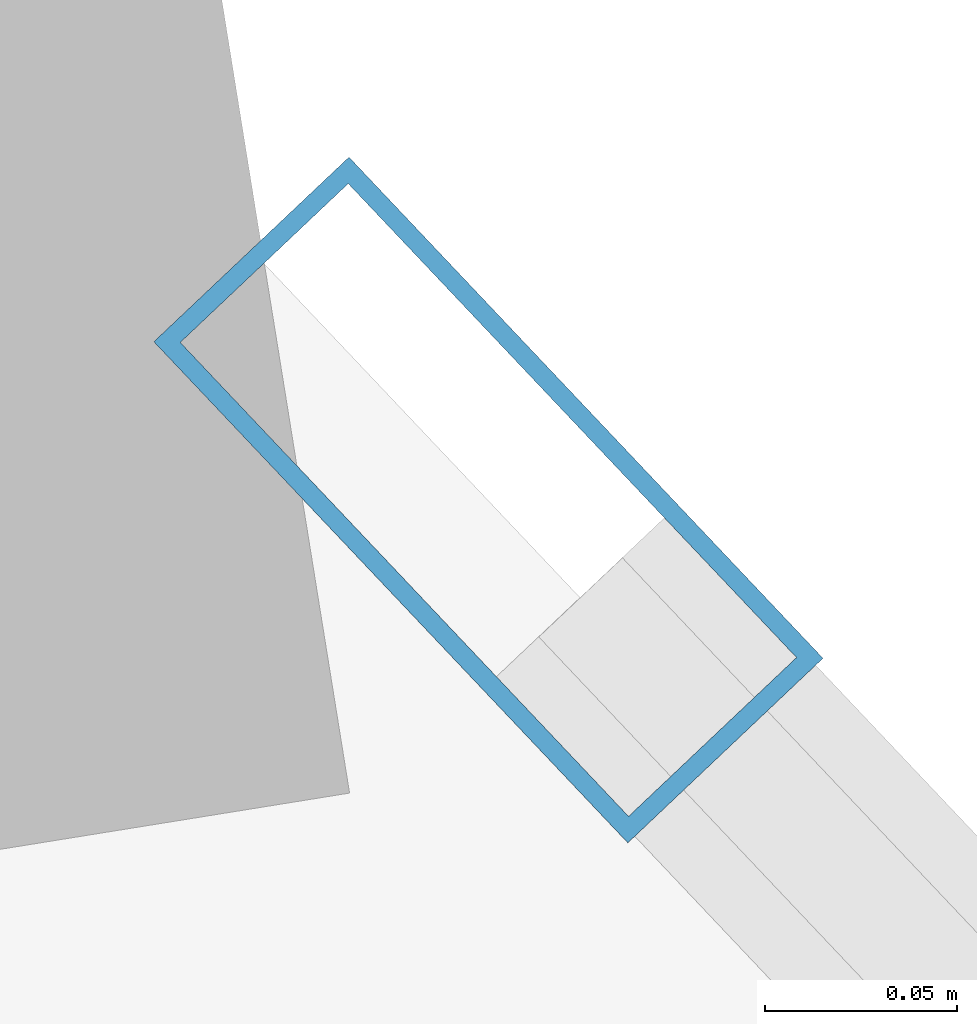
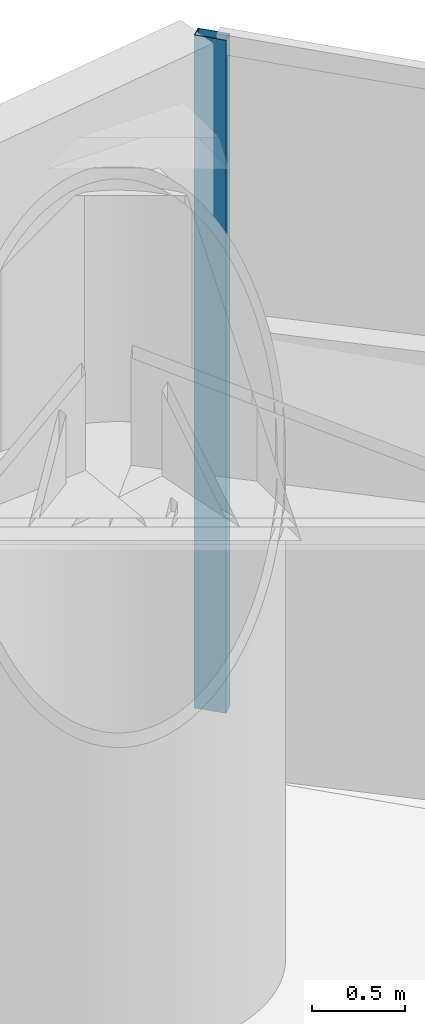
# One storey, part 15 of 22: 1 member, 1 element without a shape of its own.
"""IFC4 building model written with IfcOpenShell, lengths in metres."""

from ifc_helpers import new_model, si_unit, direction, frame, origin, origin_2d, place, context, subcontext, project, spatial, hollow_rectangle, extrude, material, layer, layer_set, material_profile, profile_set, type_object, element, aggregate, save


model = new_model("IFC4")

# Units and contexts
model_context = context("Model", 3, precision=1e-05, world=origin(), true_north=direction((0.0, 1.0)))
body_context = subcontext(model_context, "Body", "Model", "MODEL_VIEW")
ifc_project = project(units=[si_unit("LENGTHUNIT", "METRE"), si_unit("AREAUNIT", "SQUARE_METRE"), si_unit("VOLUMEUNIT", "CUBIC_METRE"), si_unit("PLANEANGLEUNIT", "RADIAN"), si_unit("MASSUNIT", "GRAM", prefix="KILO")], contexts=[model_context])

# Site, building, storey
site_placement = place(None, origin())
site = spatial("IfcSite", under=ifc_project, at=site_placement, CompositionType="ELEMENT")
building_placement = place(site_placement, origin())
building = spatial("IfcBuilding", under=site, at=building_placement, Name="Qianvela Tower", CompositionType="ELEMENT")
storey_placement = place(building_placement, frame((0.0, 0.0, 47.89990234375)))
storey = spatial("IfcBuildingStorey", under=building, at=storey_placement, Name="L11", CompositionType="ELEMENT", Elevation=47.89990234375)

# Curtain wall, member
ifc_material_1 = material(Name="Anodised Architectural Aluminium and Low-E Glass", Category="aluminium")
ifc_layer = layer(ifc_material_1, 0.179931640625)
ifc_layer_set = layer_set([ifc_layer], Name="Anodised Architectural Aluminium and Low-E Glass")
curtain_wall_type = type_object("IfcCurtainWallType", Name="CW-COLIV-Z12", PredefinedType="USERDEFINED", material=ifc_layer_set)
curtain_wall_placement = place(storey_placement, origin())
curtain_wall = element("IfcCurtainWall", 1, at=curtain_wall_placement, inside=storey, type_object=curtain_wall_type, Name="L11 CW-COLIV-Z12 Curtain Wall 02C", ObjectType="CURTAIN_WALL_SYSTEM", PredefinedType="USERDEFINED")
ifc_material_2 = material(Name="Anodised Architectural Aluminium 6063-T6", Category="aluminium")
ifc_material_profile = material_profile(ifc_material_2, hollow_rectangle(XDim=0.070068359375, YDim=0.179931640625, WallThickness=0.0048828125, at=origin_2d()), Name="ALU-MULL-70x180")
ifc_profile_set = profile_set([ifc_material_profile], Name="Anodised Architectural Aluminium 6063-T6")
member_type = type_object("IfcMemberType", Name="CW-COLIV-Z12-MULL", PredefinedType="MULLION", material=ifc_profile_set)
member_placement = place(storey_placement, frame((38.268310546875, 44.60498046875, 0.0), z_axis=(0.0, 0.0, 1.0), x_axis=(-0.726491710212, -0.687175228739, 0.0)))
member = element("IfcMember", 2, at=member_placement, type_object=member_type, Name="CW-3 mullion 2", PredefinedType="MULLION", context=body_context, shape_type="SweptSolid", body=[
    extrude(hollow_rectangle(XDim=0.070068359375, YDim=0.179931640625, WallThickness=0.0048828125, at=origin_2d()), origin(), (0.0, 0.0, 1.0), 4.420166015625),
])
aggregate(curtain_wall, [member])

save(model, "model.ifc")
